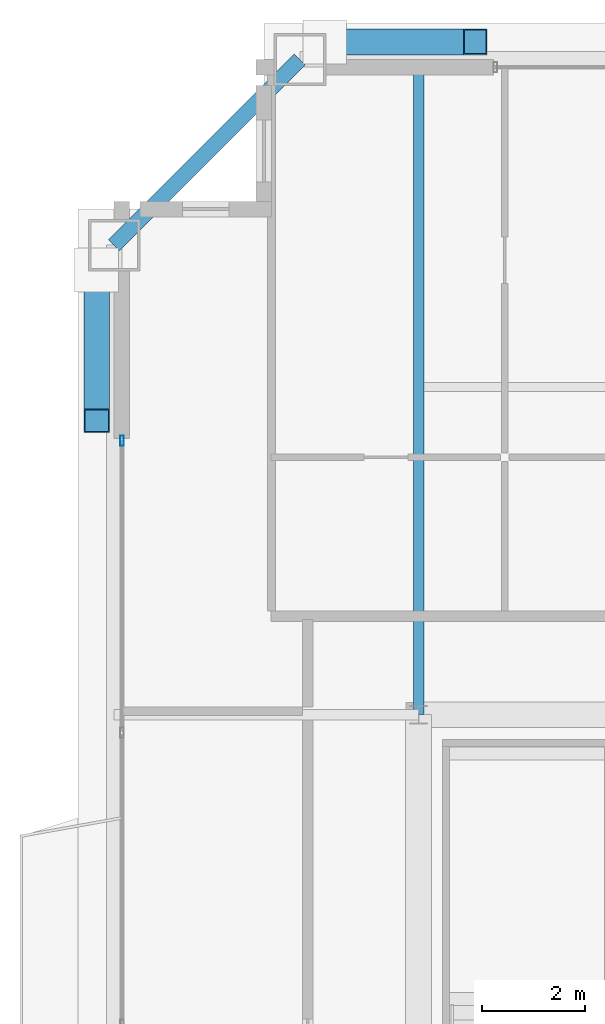
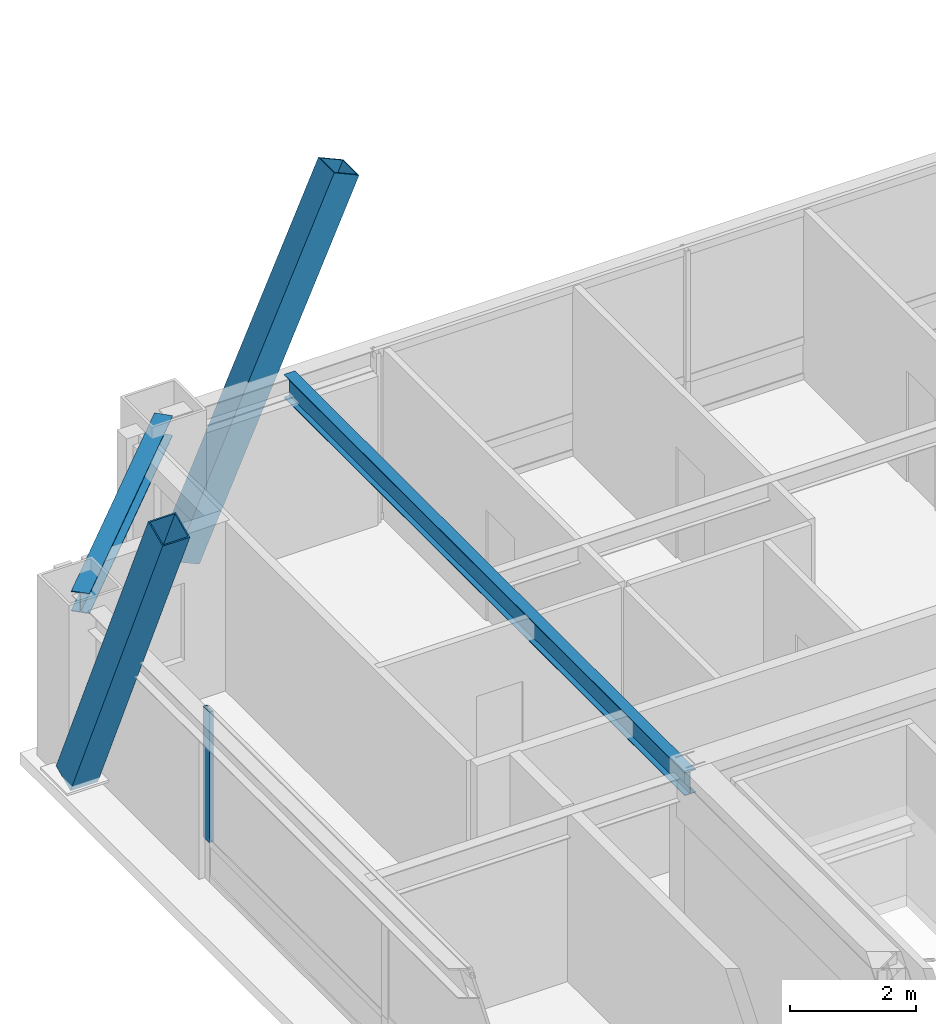
# One storey, part 14 of 33: 3 members, 2 beams, 1 element without a shape of its own.
"""IFC4 building model written with IfcOpenShell, lengths in metres."""

from ifc_helpers import new_model, si_unit, direction, frame, origin, origin_2d, place, context, subcontext, project, spatial, hollow_rectangle, i_section, extrude, source, transform, mapped, material, layer, layer_set, material_profile, profile_set, type_object, element, aggregate, save


model = new_model("IFC4")

# Units and contexts
model_context = context("Model", 3, precision=1e-05, world=origin(), true_north=direction((0.0, 1.0)))
body_context = subcontext(model_context, "Body", "Model", "MODEL_VIEW")
ifc_project = project(units=[si_unit("LENGTHUNIT", "METRE"), si_unit("AREAUNIT", "SQUARE_METRE"), si_unit("VOLUMEUNIT", "CUBIC_METRE"), si_unit("PLANEANGLEUNIT", "RADIAN"), si_unit("MASSUNIT", "GRAM", prefix="KILO"), si_unit("THERMODYNAMICTEMPERATUREUNIT", "KELVIN"), si_unit("POWERUNIT", "WATT")], contexts=[model_context])

# Site, building, storey
site_placement = place(None, origin())
site = spatial("IfcSite", under=ifc_project, at=site_placement, CompositionType="ELEMENT")
building_placement = place(site_placement, origin())
building = spatial("IfcBuilding", under=site, at=building_placement, Name="Yuzanri Waterfront Tower", CompositionType="ELEMENT")
storey_placement = place(building_placement, frame((0.0, 0.0, 292.60009765625)))
storey = spatial("IfcBuildingStorey", under=building, at=storey_placement, Name="L78", CompositionType="ELEMENT", Elevation=292.60009765625)

# Beams
ifc_material_1 = material(Name="Steel Q355B", Category="steel")
ifc_material_profile_1 = material_profile(ifc_material_1, i_section(OverallWidth=0.300048828125, OverallDepth=0.389892578125, WebThickness=0.010009765625, FlangeThickness=0.01611328125, at=origin_2d()), Name="HM 390x300x10x16")
ifc_profile_set_1 = profile_set([ifc_material_profile_1], Name="Steel Q355B")
beam_type_1 = type_object("IfcBeamType", Name="Perimeter Spandrel Q355B HM 390x300", PredefinedType="SPANDREL", material=ifc_profile_set_1)
shared_shape_1 = source(origin(), body_context, "Body", "SweptSolid", [
    extrude(i_section(OverallWidth=0.300048828125, OverallDepth=0.389892578125, WebThickness=0.010009765625, FlangeThickness=0.01611328125, at=origin_2d()), origin(), (0.0, 0.0, 1.0), 5.091064453125),
])
beam_1_placement = place(storey_placement, frame((21.5, 44.89990234375, 3.0849609375), z_axis=(-0.707130757816, -0.707082803744, 0.0), x_axis=(0.707082803744, -0.707130757816, 0.0)))
element("IfcBeam", 1, at=beam_1_placement, inside=storey, type_object=beam_type_1, Name="L78 Perimeter Spandrel N1-W3", PredefinedType="SPANDREL", context=body_context, shape_type="MappedRepresentation", body=[
    mapped(shared_shape_1, transform((0.0, 0.0, 0.0), scale=1.0)),
])
ifc_material_2 = material(Name="Steel Q355B", Category="steel")
ifc_material_profile_2 = material_profile(ifc_material_2, i_section(OverallWidth=0.199951171875, OverallDepth=0.449951171875, WebThickness=0.009033203125, FlangeThickness=0.013916015625, at=origin_2d()), Name="HN 450x200x9x14")
ifc_profile_set_2 = profile_set([ifc_material_profile_2], Name="Steel Q355B")
beam_type_2 = type_object("IfcBeamType", Name="Secondary Floor Beam Q355B HN 450x200", PredefinedType="BEAM", material=ifc_profile_set_2)
shared_shape_2 = source(origin(), body_context, "Body", "SweptSolid", [
    extrude(i_section(OverallWidth=0.199951171875, OverallDepth=0.449951171875, WebThickness=0.009033203125, FlangeThickness=0.013916015625, at=origin_2d()), origin(), (0.0, 0.0, 1.0), 12.699951171875),
])
beam_2_placement = place(storey_placement, frame((23.800048828125, 32.199951171875, 3.054931640625), z_axis=(0.0, 1.0, 0.0), x_axis=(-1.0, 0.0, 0.0)))
element("IfcBeam", 2, at=beam_2_placement, inside=storey, type_object=beam_type_2, Name="L78 North-West Core Line Beam", PredefinedType="BEAM", context=body_context, shape_type="MappedRepresentation", body=[
    mapped(shared_shape_2, transform((0.0, 0.0, 0.0), scale=1.0)),
])

# Members
ifc_material_3 = material(Name="Steel Q390GJC", Category="steel")
ifc_material_profile_3 = material_profile(ifc_material_3, hollow_rectangle(XDim=0.5, YDim=0.5, WallThickness=0.02197265625, at=origin_2d()), Name="RHS 500x500x22")
ifc_profile_set_3 = profile_set([ifc_material_profile_3], Name="Steel Q390GJC")
member_type_1 = type_object("IfcMemberType", Name="Mega Brace Upper Q390GJC RHS 500x500x22", PredefinedType="BRACE", material=ifc_profile_set_3)
shared_shape_3 = source(origin(), body_context, "Body", "SweptSolid", [
    extrude(hollow_rectangle(XDim=0.5, YDim=0.5, WallThickness=0.02197265625, at=origin_2d()), origin(), (0.0, 0.0, 1.0), 7.125732421875),
])
for number, where, z_axis, x_axis, name in (
    (3, (21.97998046875, 45.239990234375, 0.179931640625), (0.409771952938, 0.0, 0.912187999584), (0.0, 1.0, 0.0), "L78-L79 Perimeter Mega-Brace N-L"),
    (4, (17.56005859375, 40.820068359375, 0.179931640625), (0.0, -0.409800461192, 0.912175192607), (1.0, 0.0, 0.0), "L78-L79 Perimeter Mega-Brace W-R"),
):
    element("IfcMember", number, at=place(storey_placement, frame(where, z_axis=z_axis, x_axis=x_axis)), inside=storey, type_object=member_type_1, Name=name, PredefinedType="BRACE", context=body_context, shape_type="MappedRepresentation", body=[
        mapped(shared_shape_3, transform((0.0, 0.0, 0.0), scale=1.0)),
    ])

# Curtain wall, member
ifc_material_4 = material(Name="Anodized Architectural Bronze", Category="metal")
ifc_layer = layer(ifc_material_4, 0.159912109375)
ifc_layer_set = layer_set([ifc_layer], Name="Anodized Architectural Bronze")
curtain_wall_type = type_object("IfcCurtainWallType", Name="Anodized Bronze High-Rise Penthouse High-Wind Unitized Curtain Wall 6900", PredefinedType="NOTDEFINED", material=ifc_layer_set)
curtain_wall_placement = place(storey_placement, origin())
curtain_wall = element("IfcCurtainWall", 5, at=curtain_wall_placement, inside=storey, type_object=curtain_wall_type, Name="L78 Curtain Wall CW-L78-WR", PredefinedType="NOTDEFINED")
ifc_material_5 = material(Name="Anodized Architectural Bronze", Category="metal")
ifc_material_profile_4 = material_profile(ifc_material_5, hollow_rectangle(XDim=0.074951171875, YDim=0.199951171875, WallThickness=0.00390625, at=origin_2d()), Name="CWM 75x200")
ifc_profile_set_4 = profile_set([ifc_material_profile_4], Name="Anodized Architectural Bronze")
member_type_2 = type_object("IfcMemberType", Name="Anodized Bronze Primary Curtain-Wall Mullion 75x200", PredefinedType="MULLION", material=ifc_profile_set_4)
shared_shape_4 = source(origin(), body_context, "Body", "SweptSolid", [
    extrude(hollow_rectangle(XDim=0.074951171875, YDim=0.199951171875, WallThickness=0.00390625, at=origin_2d()), origin(), (0.0, 0.0, 1.0), 2.52392578125),
])
member_placement = place(storey_placement, frame((18.050048828125, 37.510009765625, 0.755859375), z_axis=(0.0, 0.0, 1.0), x_axis=(1.0, 0.0, 0.0)))
member = element("IfcMember", 6, at=member_placement, type_object=member_type_2, Name="CW-L78-WR Upper Mullion 02", PredefinedType="MULLION", context=body_context, shape_type="MappedRepresentation", body=[
    mapped(shared_shape_4, transform((0.0, 0.0, 0.0), scale=1.0)),
])
aggregate(curtain_wall, [member])

save(model, "model.ifc")
